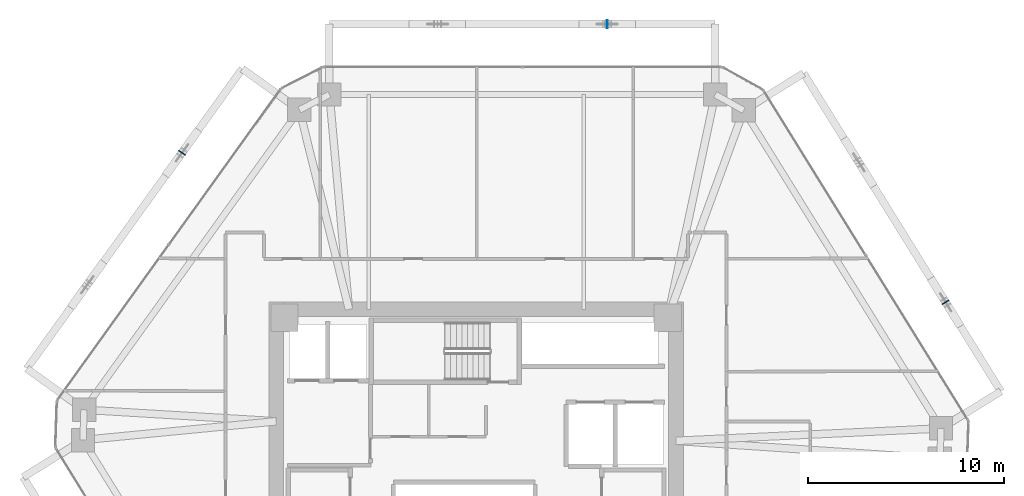
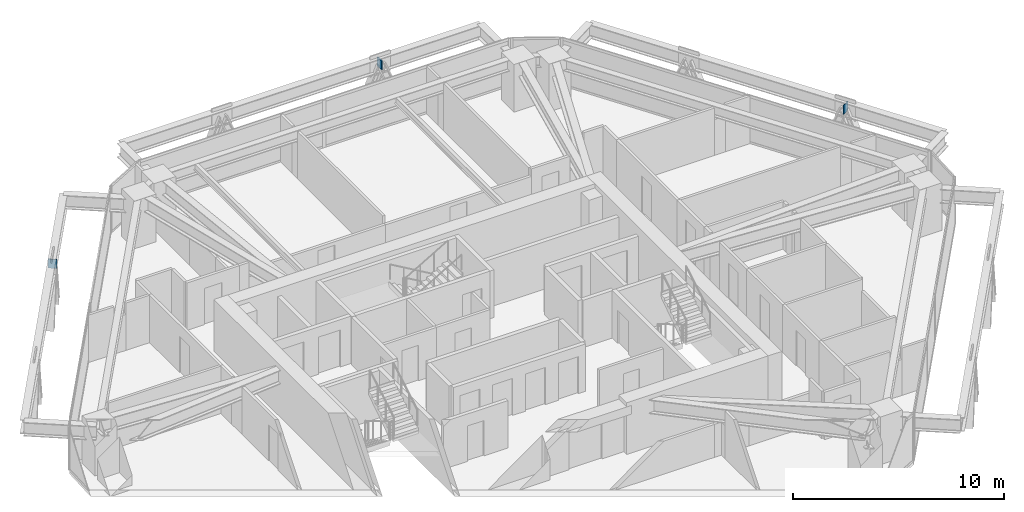
# One storey, part 11 of 17: 3 plates.
"""IFC4 building model written with IfcOpenShell, lengths in metres."""

from ifc_helpers import new_model, si_unit, direction, frame, origin, origin_2d, place, context, subcontext, project, spatial, rectangle, extrude, source, transform, mapped, material, layer, layer_set, type_object, type_shapes, element, save


model = new_model("IFC4")

# Units and contexts
model_context = context("Model", 3, precision=1e-05, world=origin(), true_north=direction((0.0, 1.0)))
body_context = subcontext(model_context, "Body", "Model", "MODEL_VIEW")
ifc_project = project(units=[si_unit("LENGTHUNIT", "METRE"), si_unit("AREAUNIT", "SQUARE_METRE"), si_unit("VOLUMEUNIT", "CUBIC_METRE"), si_unit("PLANEANGLEUNIT", "RADIAN"), si_unit("MASSUNIT", "GRAM", prefix="KILO")], contexts=[model_context])

# Site, building, storey
site_placement = place(None, origin())
site = spatial("IfcSite", under=ifc_project, at=site_placement, CompositionType="ELEMENT")
building_placement = place(site_placement, origin())
building = spatial("IfcBuilding", under=site, at=building_placement, Name="Durnholm Broadcast Tower", CompositionType="ELEMENT")
storey_placement = place(building_placement, frame((0.0, 0.0, 143.10009765625)))
storey = spatial("IfcBuildingStorey", under=building, at=storey_placement, Name="L39", CompositionType="ELEMENT", Elevation=143.10009765625)

# Plates
ifc_material = material(Name="Steel ASTM A572 Grade 50", Category="steel")
ifc_layer = layer(ifc_material, 0.044921875)
ifc_layer_set = layer_set([ifc_layer], Name="Steel ASTM A572 Grade 50")
plate_type = type_object("IfcPlateType", Name="PLT-KN-STIF", PredefinedType="SHEET", material=ifc_layer_set)
shared_shape = source(origin(), body_context, "Body", "SweptSolid", [
    extrude(rectangle(XDim=0.044921875, YDim=0.419921875, at=origin_2d()), origin(), (0.0, 0.0, 1.0), 0.52001953125),
])
type_shapes(plate_type, [shared_shape])
for number, where, z_axis, x_axis, name in (
    (1, (24.01513671875, 8.58837890625, 1.74853515625), (0.0, 0.0, 1.0), (-0.527104121728, 0.849800708906, 0.0), "L39 welded diagrid node stiffener plate F3"),
    (2, (6.7060546875, 22.81494140625, 1.74853515625), (0.0, 0.0, 1.0), (-1.0, 0.0, 0.0), "L39 welded diagrid node stiffener plate F4"),
    (3, (-15.040771484375, 16.234375, 1.74853515625), (0.0, 0.0, 1.0), (-0.583399467156, -0.812185361677, 0.0), "L39 welded diagrid node stiffener plate F5"),
):
    element("IfcPlate", number, at=place(storey_placement, frame(where, z_axis=z_axis, x_axis=x_axis)), inside=storey, type_object=plate_type, Name=name, PredefinedType="SHEET", context=body_context, shape_type="MappedRepresentation", body=[
        mapped(shared_shape, transform((0.0, 0.0, 0.0), x_axis=(1.0, 0.0, 0.0), y_axis=(0.0, 1.0, 0.0), z_axis=(0.0, 0.0, 1.0), scale=1.0)),
    ])

save(model, "model.ifc")
